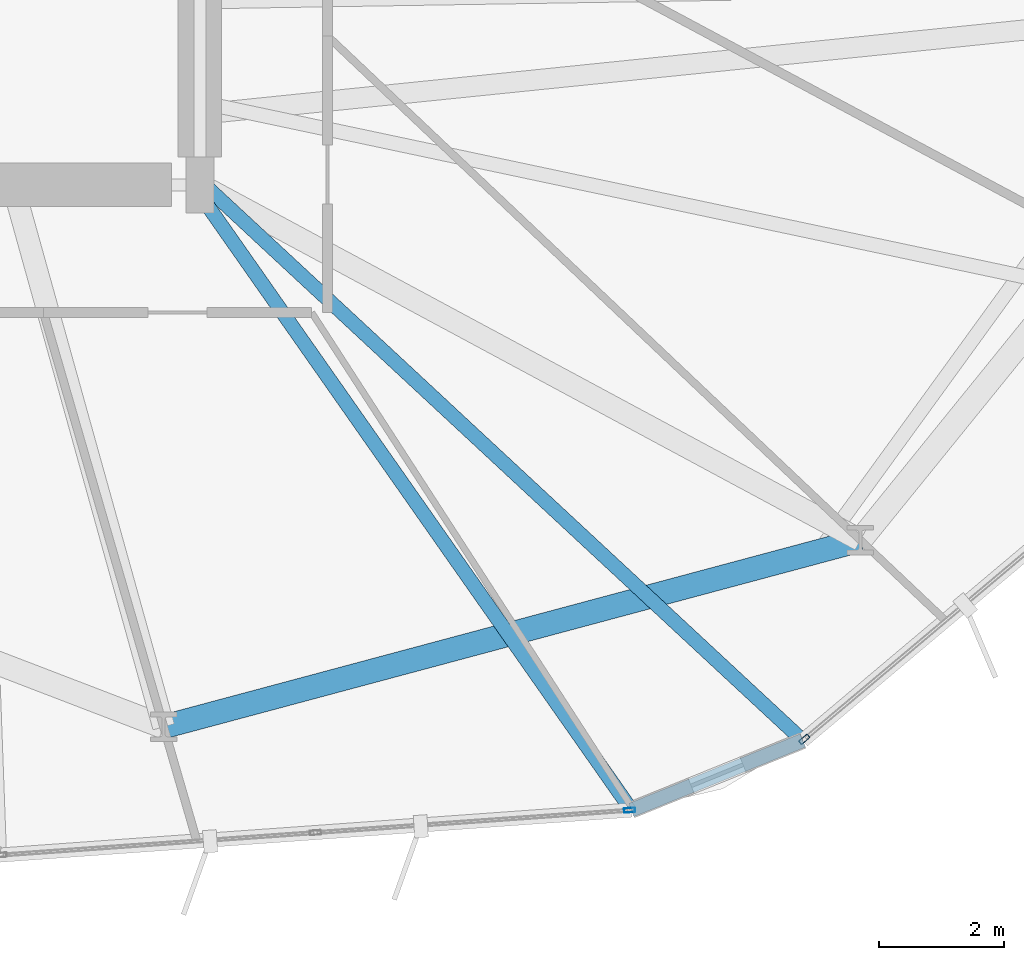
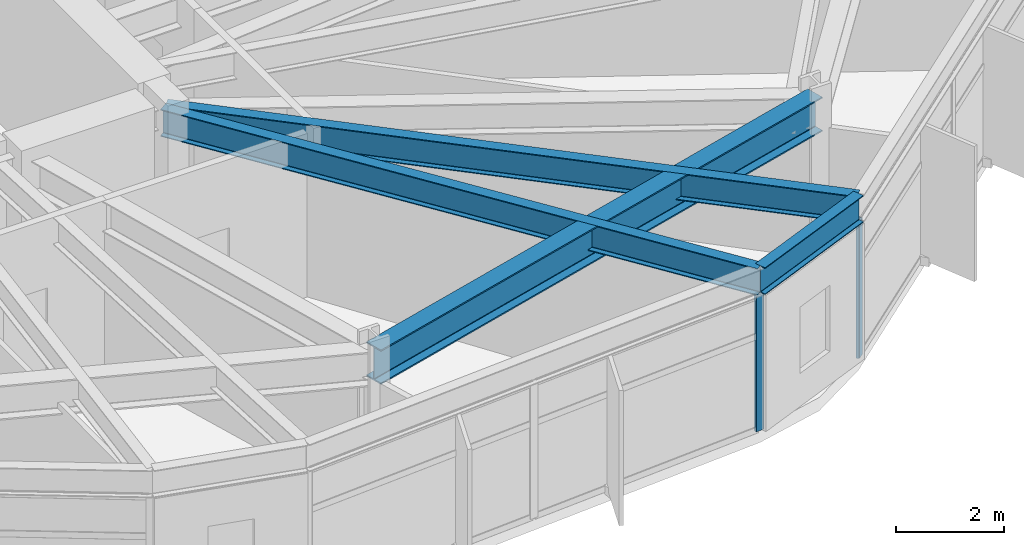
# One storey, part 5 of 22: 4 beams, 2 members, 2 elements without a shape of their own.
"""IFC4 building model written with IfcOpenShell, lengths in metres."""

from ifc_helpers import new_model, si_unit, direction, frame, origin, origin_2d, place, context, subcontext, project, spatial, hollow_rectangle, i_section, extrude, material, layer, layer_set, material_profile, profile_set, type_object, element, aggregate, save


model = new_model("IFC4")

# Units and contexts
model_context = context("Model", 3, precision=1e-05, world=origin(), true_north=direction((0.0, 1.0)))
body_context = subcontext(model_context, "Body", "Model", "MODEL_VIEW")
ifc_project = project(units=[si_unit("LENGTHUNIT", "METRE"), si_unit("AREAUNIT", "SQUARE_METRE"), si_unit("VOLUMEUNIT", "CUBIC_METRE"), si_unit("PLANEANGLEUNIT", "RADIAN"), si_unit("MASSUNIT", "GRAM", prefix="KILO")], contexts=[model_context])

# Site, building, storey
site_placement = place(None, origin())
site = spatial("IfcSite", under=ifc_project, at=site_placement, CompositionType="ELEMENT")
building_placement = place(site_placement, origin())
building = spatial("IfcBuilding", under=site, at=building_placement, Name="Soratama Intermodal Tower", CompositionType="ELEMENT")
storey_placement = place(building_placement, frame((0.0, 0.0, 42.60009765625)))
storey = spatial("IfcBuildingStorey", under=building, at=storey_placement, Name="L09", CompositionType="ELEMENT", Elevation=42.60009765625)

# Beams
ifc_material_1 = material(Name="Structural steel ASTM A992 Grade 50", Category="steel")
ifc_material_profile_1 = material_profile(ifc_material_1, i_section(OverallWidth=0.382080078125, OverallDepth=0.779052734375, WebThickness=0.01806640625, FlangeThickness=0.030029296875, FilletRadius=0.01806640625, at=origin_2d()), Name="W30X191")
ifc_profile_set_1 = profile_set([ifc_material_profile_1], Name="Structural steel ASTM A992 Grade 50")
beam_type_1 = type_object("IfcBeamType", Name="BM-RING-W30X191", PredefinedType="BEAM", material=ifc_profile_set_1)
beam_1_placement = place(storey_placement, frame((44.02001953125, 6.305908203125, 3.310302734375), z_axis=(0.965935902196, 0.258781438376, 0.0), x_axis=(-0.258781438376, 0.965935902196, 0.0)))
element("IfcBeam", 1, at=beam_1_placement, inside=storey, type_object=beam_type_1, Name="BM-L09-RING-08", PredefinedType="BEAM", context=body_context, shape_type="SweptSolid", body=[
    extrude(i_section(OverallWidth=0.382080078125, OverallDepth=0.779052734375, WebThickness=0.01806640625, FlangeThickness=0.030029296875, FilletRadius=0.01806640625, at=origin_2d()), origin(), (0.0, 0.0, 1.0), 11.570068359375),
])
ifc_material_2 = material(Name="Structural steel ASTM A992 Grade 50", Category="steel")
ifc_material_profile_2 = material_profile(ifc_material_2, i_section(OverallWidth=0.22900390625, OverallDepth=0.612060546875, WebThickness=0.011962890625, FlangeThickness=0.01953125, FilletRadius=0.012939453125, at=origin_2d()), Name="W24X84")
ifc_profile_set_2 = profile_set([ifc_material_profile_2], Name="Structural steel ASTM A992 Grade 50")
beam_type_2 = type_object("IfcBeamType", Name="BM-SPN-W24X84", PredefinedType="SPANDREL", material=ifc_profile_set_2)
beam_2_placement = place(storey_placement, frame((51.52392578125, 4.970947265625, 3.393798828125), z_axis=(0.926678074378, 0.375856018267, 0.0), x_axis=(-0.375856018267, 0.926678074378, 0.0)))
element("IfcBeam", 2, at=beam_2_placement, inside=storey, type_object=beam_type_2, Name="BS-L09-CRN08", PredefinedType="SPANDREL", context=body_context, shape_type="SweptSolid", body=[
    extrude(i_section(OverallWidth=0.22900390625, OverallDepth=0.612060546875, WebThickness=0.011962890625, FlangeThickness=0.01953125, FilletRadius=0.012939453125, at=origin_2d()), origin(), (0.0, 0.0, 1.0), 2.966552734375),
])
ifc_material_3 = material(Name="Structural steel ASTM A992 Grade 50", Category="steel")
ifc_material_profile_3 = material_profile(ifc_material_3, i_section(OverallWidth=0.22900390625, OverallDepth=0.612060546875, WebThickness=0.011962890625, FlangeThickness=0.01953125, FilletRadius=0.012939453125, at=origin_2d()), Name="W24X84")
ifc_profile_set_3 = profile_set([ifc_material_profile_3], Name="Structural steel ASTM A992 Grade 50")
beam_type_3 = type_object("IfcBeamType", Name="BM-TIE-W24X84", PredefinedType="BEAM", material=ifc_profile_set_3)
beam_3_placement = place(storey_placement, frame((44.513916015625, 14.967041015625, 3.393798828125), z_axis=(0.574162687097, -0.818741234302, 0.0), x_axis=(0.818741234302, 0.574162687097, 0.0)))
element("IfcBeam", 3, at=beam_3_placement, inside=storey, type_object=beam_type_3, Name="BM-L09-TIE1-08", PredefinedType="BEAM", context=body_context, shape_type="SweptSolid", body=[
    extrude(i_section(OverallWidth=0.22900390625, OverallDepth=0.612060546875, WebThickness=0.011962890625, FlangeThickness=0.01953125, FilletRadius=0.012939453125, at=origin_2d()), origin(), (0.0, 0.0, 1.0), 12.208984375),
])
beam_4_placement = place(storey_placement, frame((44.62890625, 15.0419921875, 3.393798828125), z_axis=(0.73276045659, -0.680486673828, 0.0), x_axis=(0.680486673828, 0.73276045659, 0.0)))
element("IfcBeam", 4, at=beam_4_placement, inside=storey, type_object=beam_type_3, Name="BM-L09-TIE0-09", PredefinedType="BEAM", context=body_context, shape_type="SweptSolid", body=[
    extrude(i_section(OverallWidth=0.22900390625, OverallDepth=0.612060546875, WebThickness=0.011962890625, FlangeThickness=0.01953125, FilletRadius=0.012939453125, at=origin_2d()), origin(), (0.0, 0.0, 1.0), 13.1611328125),
])

# Curtain wall, member
ifc_material_4 = material(Name="Double-glazed aluminium curtain wall", Category="aluminium")
ifc_layer = layer(ifc_material_4, 0.159912109375)
ifc_layer_set = layer_set([ifc_layer], Name="Double-glazed aluminium curtain wall")
curtain_wall_type = type_object("IfcCurtainWallType", Name="CW-SYS-2", PredefinedType="NOTDEFINED", material=ifc_layer_set)
curtain_wall_1_placement = place(storey_placement, origin())
curtain_wall_1 = element("IfcCurtainWall", 5, at=curtain_wall_1_placement, inside=storey, type_object=curtain_wall_type, Name="L09 Faceted Curtain Wall F08", PredefinedType="NOTDEFINED")
ifc_material_5 = material(Name="Anodised aluminium AA 6063-T6", Category="aluminium")
ifc_material_profile_4 = material_profile(ifc_material_5, hollow_rectangle(XDim=0.074951171875, YDim=0.179931640625, WallThickness=0.006103515625, InnerFilletRadius=0.006103515625, OuterFilletRadius=0.011962890625, at=origin_2d()), Name="CWM180X75X6")
ifc_profile_set_4 = profile_set([ifc_material_profile_4], Name="Anodised aluminium AA 6063-T6")
member_type = type_object("IfcMemberType", Name="MT-CWM-2", PredefinedType="MULLION", material=ifc_profile_set_4)
member_1_placement = place(storey_placement, frame((51.494384765625, 4.96875, 0.0), z_axis=(0.0, 0.0, 1.0), x_axis=(-0.071154068573, 0.997465337004, 0.0)))
member_1 = element("IfcMember", 6, at=member_1_placement, type_object=member_type, Name="CW-2 mullion 3", PredefinedType="MULLION", context=body_context, shape_type="SweptSolid", body=[
    extrude(hollow_rectangle(XDim=0.074951171875, YDim=0.179931640625, WallThickness=0.006103515625, InnerFilletRadius=0.006103515625, OuterFilletRadius=0.011962890625, at=origin_2d()), origin(), (0.0, 0.0, 1.0), 3.078857421875),
])
aggregate(curtain_wall_1, [member_1])

curtain_wall_2_placement = place(storey_placement, origin())
curtain_wall_2 = element("IfcCurtainWall", 7, at=curtain_wall_2_placement, inside=storey, type_object=curtain_wall_type, Name="L09 Faceted Curtain Wall F09", PredefinedType="NOTDEFINED")
member_2_placement = place(storey_placement, frame((54.296142578125, 6.105224609375, 0.0), z_axis=(0.0, 0.0, 1.0), x_axis=(-0.643853061672, 0.765149158645, 0.0)))
member_2 = element("IfcMember", 8, at=member_2_placement, type_object=member_type, Name="CW-2 mullion 1", PredefinedType="MULLION", context=body_context, shape_type="SweptSolid", body=[
    extrude(hollow_rectangle(XDim=0.074951171875, YDim=0.179931640625, WallThickness=0.006103515625, InnerFilletRadius=0.006103515625, OuterFilletRadius=0.011962890625, at=origin_2d()), origin(), (0.0, 0.0, 1.0), 3.078857421875),
])
aggregate(curtain_wall_2, [member_2])

save(model, "model.ifc")
